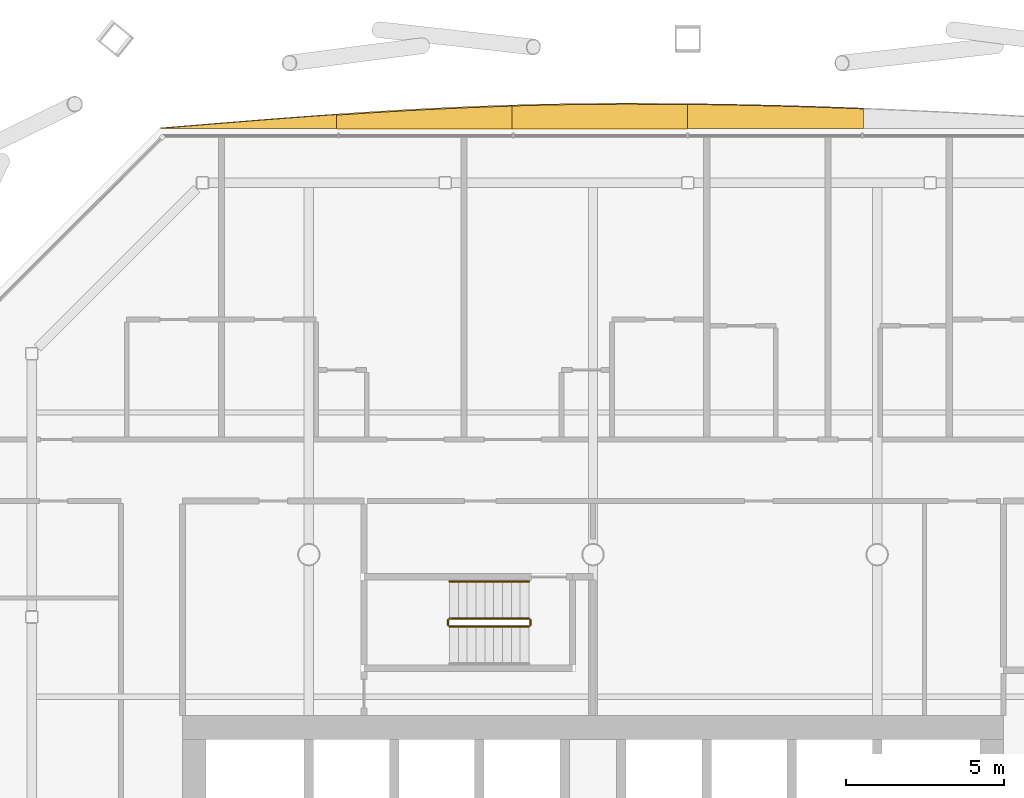
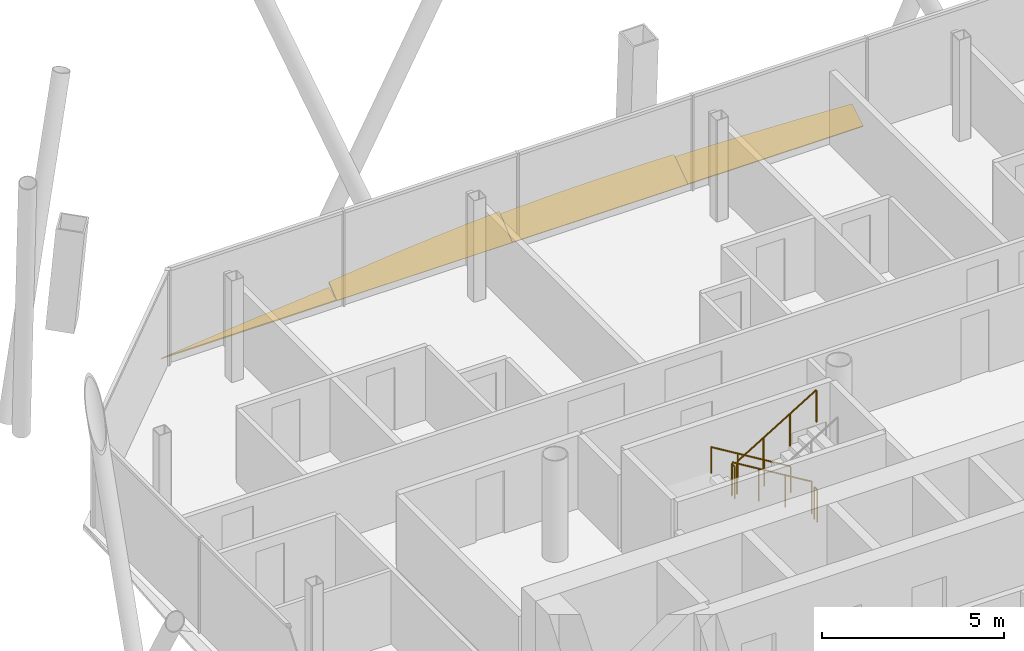
# One storey, part 22 of 23: 5 railings, 4 shading devices.
"""IFC4 building model written with IfcOpenShell, lengths in metres."""

import ifcopenshell
import ifcopenshell.guid

model = None  # the IFC model being written
_history = None  # IfcOwnerHistory: only IFC2X3 demands one
_inside = {}  # id of a spatial element -> (the spatial element, [elements in it])
_under = {}  # id of a project, library or spatial element -> (it, [spatial elements below it])
_declared = {}  # id of a project -> (the project, [libraries it declares])
_typed = {}  # id of a type object -> (the type object, [elements of that type])
_made_of = {}  # id of a material, layer set ... -> (it, [elements and type objects made of it])


def new_model(schema):
    """Start an empty IFC model of exactly this schema.

    Asked for "IFC4X3", IfcOpenShell would pick the latest addendum, in which some entities
    have other attributes; the version numbers below select the first issue.
    IFC2X3 requires an IfcOwnerHistory on every rooted entity: one is made here for all.
    """
    global model, _history
    if schema == "IFC4X3":
        model = ifcopenshell.file(schema_version=(4, 3, 0, 0))
    else:
        model = ifcopenshell.file(schema=schema)
    _inside.clear()
    _under.clear()
    _declared.clear()
    _typed.clear()
    _made_of.clear()
    _history = None
    if model.schema == "IFC2X3":
        org = make("IfcOrganization", Name="unknown")
        user = make(
            "IfcPersonAndOrganization",
            ThePerson=make("IfcPerson", FamilyName="unknown"),
            TheOrganization=org,
        )
        app = make(
            "IfcApplication",
            ApplicationDeveloper=org,
            Version="unknown",
            ApplicationFullName="unknown",
            ApplicationIdentifier="unknown",
        )
        _history = make(
            "IfcOwnerHistory",
            OwningUser=user,
            OwningApplication=app,
            ChangeAction="ADDED",
            CreationDate=0,
        )
    return model


def make(cls, **values):
    """One entity of the class cls with the attributes given. An attribute that is None is left unset."""
    return model.create_entity(
        cls, **{name: value for name, value in values.items() if value is not None}
    )


def rooted(cls, **values):
    """An entity with a GlobalId (a new one), such as an element, a storey or a relation."""
    return make(cls, GlobalId=ifcopenshell.guid.new(), OwnerHistory=_history, **values)


def si_unit(unit_type, name, prefix=None):
    """IfcSIUnit, for example si_unit("LENGTHUNIT", "METRE", prefix="MILLI")."""
    return make("IfcSIUnit", UnitType=unit_type, Prefix=prefix, Name=name)


def assignment(units):
    """IfcUnitAssignment: the units of a project."""
    return None if units is None else make("IfcUnitAssignment", Units=units)


def point(xyz):
    """IfcCartesianPoint."""
    return None if xyz is None else make("IfcCartesianPoint", Coordinates=xyz)


def direction(xyz):
    """IfcDirection."""
    return None if xyz is None else make("IfcDirection", DirectionRatios=xyz)


def frame(location, z_axis=None, x_axis=None):
    """IfcAxis2Placement3D, a coordinate frame: its origin and axes. An axis left out is left unset."""
    return make(
        "IfcAxis2Placement3D",
        Location=point(location),
        Axis=direction(z_axis),
        RefDirection=direction(x_axis),
    )


def frame_2d(location, x_axis=None):
    """IfcAxis2Placement2D, a coordinate frame in the plane: its origin and x axis."""
    return make(
        "IfcAxis2Placement2D", Location=point(location), RefDirection=direction(x_axis)
    )


def origin():
    """The frame at (0, 0, 0) with its axes left unset."""
    return frame((0.0, 0.0, 0.0))


def origin_2d():
    """The frame at (0, 0) in the plane with its x axis left unset."""
    return frame_2d((0.0, 0.0))


def place(relative_to, where):
    """IfcLocalPlacement: puts the frame where relative to a parent placement (None: the world)."""
    return make(
        "IfcLocalPlacement", PlacementRelTo=relative_to, RelativePlacement=where
    )


def context(
    kind, dimensions, precision=None, world=None, true_north=None, identifier=None
):
    """IfcGeometricRepresentationContext, for example the 3D "Model" context."""
    return make(
        "IfcGeometricRepresentationContext",
        ContextIdentifier=identifier,
        ContextType=kind,
        CoordinateSpaceDimension=dimensions,
        Precision=precision,
        WorldCoordinateSystem=world,
        TrueNorth=true_north,
    )


def subcontext(parent, identifier, kind, view, scale=None):
    """IfcGeometricRepresentationSubContext, for example "Body" below "Model"."""
    return make(
        "IfcGeometricRepresentationSubContext",
        ContextIdentifier=identifier,
        ContextType=kind,
        ParentContext=parent,
        TargetScale=scale,
        TargetView=view,
    )


def project(units=None, contexts=None):
    """IfcProject with its units and contexts."""
    return rooted(
        "IfcProject",
        Name="project",
        RepresentationContexts=contexts,
        UnitsInContext=assignment(units),
    )


def spatial(cls, under=None, at=None, **own):
    """A site, building, storey or space (cls), placed at a placement, below another one or the project."""
    s = rooted(cls, ObjectPlacement=at, **own)
    if under is not None:
        _under.setdefault(under.id(), (under, []))[1].append(s)
    return s


def polyline(points):
    """IfcPolyline through the points."""
    return make("IfcPolyline", Points=[point(p) for p in points])


def profile(cls, at=None, kind="AREA", **sizes):
    """A parametric profile (cls). Its sizes go by their IFC names, for example OverallWidth=200.0."""
    return make(cls, ProfileType=kind, Position=at, **sizes)


def circle(**sizes):
    """IfcCircleProfileDef."""
    return profile("IfcCircleProfileDef", **sizes)


def outline(outer, holes=None, kind="AREA"):
    """IfcArbitraryClosedProfileDef: a profile drawn as a closed curve; with holes, ...WithVoids."""
    if holes is None:
        return make("IfcArbitraryClosedProfileDef", ProfileType=kind, OuterCurve=outer)
    return make(
        "IfcArbitraryProfileDefWithVoids",
        ProfileType=kind,
        OuterCurve=outer,
        InnerCurves=holes,
    )


def extrude(swept, where, along, depth):
    """IfcExtrudedAreaSolid: the profile swept, set in the frame where, extruded along a direction by depth."""
    return make(
        "IfcExtrudedAreaSolid",
        SweptArea=swept,
        Position=where,
        ExtrudedDirection=direction(along),
        Depth=depth,
    )


def shape(context_of_items, identifier, shape_type, items):
    """IfcShapeRepresentation: the items that make up one representation, for example the "Body"."""
    return make(
        "IfcShapeRepresentation",
        ContextOfItems=context_of_items,
        RepresentationIdentifier=identifier,
        RepresentationType=shape_type,
        Items=items,
    )


def material(Name=None, Category=None):
    """IfcMaterial."""
    return make("IfcMaterial", Name=Name, Category=Category)


def layer(
    of_material, thickness, ventilated=None, Name=None, Category=None, Priority=None
):
    """IfcMaterialLayer: one layer of a wall or slab, of a material (None: an air gap)."""
    return make(
        "IfcMaterialLayer",
        Material=of_material,
        LayerThickness=thickness,
        IsVentilated=ventilated,
        Name=Name,
        Category=Category,
        Priority=Priority,
    )


def layer_set(layers, Name=None):
    """IfcMaterialLayerSet."""
    return make("IfcMaterialLayerSet", MaterialLayers=layers, LayerSetName=Name)


def made_of(thing, what):
    """Note that an element or type object is made of a material, layer set ...; save() writes the relation."""
    if what is not None:
        _made_of.setdefault(what.id(), (what, []))[1].append(thing)
    return thing


def type_object(cls, material=None, **own):
    """A type object (cls), such as IfcWallType, which elements share."""
    return made_of(rooted(cls, **own), material)


def element(
    cls,
    number,
    at=None,
    inside=None,
    cuts=None,
    type_object=None,
    material=None,
    context=None,
    identifier="Body",
    shape_type=None,
    held_by="IfcProductDefinitionShape",
    body=None,
    shapes=None,
    **own,
):
    """One element of the class cls, such as IfcWall. Its Tag is "e" and its number.

    at: its placement. inside: the storey or other place that contains it. cuts: it is an
    opening in that element (IfcRelVoidsElement). A single representation is given by context,
    identifier, shape_type and body (its items); several are given by shapes. held_by: the class
    of the entity that holds the representations. save() writes the other relations.
    """
    e = rooted(cls, Tag="e%d" % number, ObjectPlacement=at, **own)
    if body is not None:
        shapes = [shape(context, identifier, shape_type, body)]
    if shapes is not None:
        e.Representation = make(held_by, Representations=shapes)
    if inside is not None:
        _inside.setdefault(inside.id(), (inside, []))[1].append(e)
    if cuts is not None:
        rooted(
            "IfcRelVoidsElement", RelatingBuildingElement=cuts, RelatedOpeningElement=e
        )
    if type_object is not None:
        _typed.setdefault(type_object.id(), (type_object, []))[1].append(e)
    return made_of(e, material)


def aggregate(whole, parts):
    """IfcRelAggregates: a whole, such as a stair, and the parts it consists of."""
    return rooted("IfcRelAggregates", RelatingObject=whole, RelatedObjects=parts)


def save(model, path):
    """Write the relations noted so far, then the file.

    IfcRelAggregates (storeys below a building ...), IfcRelContainedInSpatialStructure (elements
    in a storey), IfcRelDefinesByType, IfcRelAssociatesMaterial and IfcRelDeclares: one each for
    every whole, place, type object, material and project.
    """
    for whole, parts in _under.values():
        aggregate(whole, parts)
    for where, things in _inside.values():
        rooted(
            "IfcRelContainedInSpatialStructure",
            RelatedElements=things,
            RelatingStructure=where,
        )
    for kind, things in _typed.values():
        rooted("IfcRelDefinesByType", RelatedObjects=things, RelatingType=kind)
    for what, things in _made_of.values():
        rooted("IfcRelAssociatesMaterial", RelatedObjects=things, RelatingMaterial=what)
    for by, libraries in _declared.values():
        rooted("IfcRelDeclares", RelatingContext=by, RelatedDefinitions=libraries)
    model.write(path)


model = new_model("IFC4")

# Units and contexts
model_context = context("Model", 3, precision=1e-05, world=origin(), true_north=direction((0.0, 1.0)))
body_context = subcontext(model_context, "Body", "Model", "MODEL_VIEW")
ifc_project = project(units=[si_unit("LENGTHUNIT", "METRE"), si_unit("AREAUNIT", "SQUARE_METRE"), si_unit("VOLUMEUNIT", "CUBIC_METRE"), si_unit("PLANEANGLEUNIT", "RADIAN"), si_unit("MASSUNIT", "GRAM", prefix="KILO")], contexts=[model_context])

# Site, building, storey
site_placement = place(None, origin())
site = spatial("IfcSite", under=ifc_project, at=site_placement, CompositionType="ELEMENT")
building_placement = place(site_placement, origin())
building = spatial("IfcBuilding", under=site, at=building_placement, Name="Tskaro Facet Tower", CompositionType="ELEMENT")
storey_placement = place(building_placement, frame((0.0, 0.0, 141.89990234375)))
storey = spatial("IfcBuildingStorey", under=building, at=storey_placement, Name="L34", CompositionType="ELEMENT", Elevation=141.89990234375)

# Shading devices
ifc_material_1 = material(Name="Bronze anodised aluminium 6063-T6", Category="aluminium")
ifc_layer = layer(ifc_material_1, 0.06005859375, Name="Bronze anodised aluminium 6063-T6")
ifc_layer_set = layer_set([ifc_layer], Name="Bronze anodised aluminium 6063-T6")
shading_device_type = type_object("IfcShadingDeviceType", Name="Bronze sun blade (FN1)", PredefinedType="USERDEFINED", material=ifc_layer_set)
shading_device_1_placement = place(storey_placement, frame((8.5654296875, 22.491943359375, 0.052001953125), z_axis=(6.143741e-06, -0.500016935168, 0.866015626018), x_axis=(-0.999999999981, -3.071975e-06, 5.320576e-06)))
element("IfcShadingDevice", 1, at=shading_device_1_placement, inside=storey, type_object=shading_device_type, Name="Fin blade north 3", ObjectType="FIN", PredefinedType="USERDEFINED", context=body_context, shape_type="SweptSolid", body=[
    extrude(outline(polyline([(0.0, 0.0), (5.565429687394965, 0.0), (5.565429687792649, -0.8860883422786096), (4.869873047652204, -0.8757018838308558), (4.174072265293921, -0.8623466082916504), (3.478515624565727, -0.8462666645551229), (2.782714843668658, -0.8271285485780088), (2.0871582031027094, -0.8051436899565076), (1.3913574216178919, -0.7803120886906197), (0.6958007810131699, -0.7529672488236095), (3.8553515695665595e-11, -0.7231091703554771), (0.0, 0.0)])), origin(), (0.0, 0.0, -1.0), 0.06005859375),
])
shading_device_2_placement = place(storey_placement, frame((3.0, 22.487548828125, 0.04931640625), z_axis=(3.023034e-06, -0.573507584863, 0.819200250303), x_axis=(-0.999999999995, -1.733733e-06, 2.47647e-06)))
element("IfcShadingDevice", 2, at=shading_device_2_placement, inside=storey, type_object=shading_device_type, Name="Fin blade north 4", ObjectType="FIN", PredefinedType="USERDEFINED", context=body_context, shape_type="SweptSolid", body=[
    extrude(outline(polyline([(0.0, 0.0), (5.56542968747457, -1.1785255777349262e-21), (5.565429687327305, -0.8821143693231613), (4.86962890649978, -0.9057552981626773), (4.174072265814363, -0.9245160280218991), (3.478271484444332, -0.9381965588397169), (2.7827148436396856, -0.9467968906161304), (2.0869140625736993, -0.95011702329003), (2.0034179688240807, -0.95011702329003), (1.3913574218311555, -0.9488969735449564), (0.6955566402827775, -0.9443567911259834), (-2.1682932106060874e-10, -0.9366364925333222), (0.0, 0.0)])), origin(), (0.0, 0.0, -1.0), 0.06005859375),
])
shading_device_3_placement = place(storey_placement, frame((-2.5654296875, 22.4833984375, 0.046142578125), z_axis=(1.526085e-06, -0.642699056354, 0.766118739465), x_axis=(-0.999999999999, -9.80813e-07, 1.169162e-06)))
element("IfcShadingDevice", 3, at=shading_device_3_placement, inside=storey, type_object=shading_device_type, Name="Fin blade north 5", ObjectType="FIN", PredefinedType="USERDEFINED", context=body_context, shape_type="SweptSolid", body=[
    extrude(outline(polyline([(0.0, 0.0), (5.56518554686852, 0.0), (5.565185546834532, -0.5694482599856472), (4.869628906144574, -0.630278467079088), (4.1738281251801155, -0.6877959547914345), (3.478271484334838, -0.7415299962747708), (2.7824707030771094, -0.7909194694054644), (2.0869140624174736, -0.836151414891393), (1.3913574219244034, -0.8766948423674963), (0.6955566406874591, -0.9123928428844689), (-4.335956354642629e-11, -0.9432454164423107), (0.0, 0.0)])), origin(), (0.0, 0.0, -1.0), 0.06005859375),
])
shading_device_4_placement = place(storey_placement, frame((-8.130615234375, 22.50146484375, 0.056396484375), z_axis=(-1.634947e-06, -0.342260554612, 0.939605083402), x_axis=(-0.999999999999, 5.59578e-07, -1.536204e-06)))
element("IfcShadingDevice", 4, at=shading_device_4_placement, inside=storey, type_object=shading_device_type, Name="Fin blade north 6", ObjectType="FIN", PredefinedType="USERDEFINED", context=body_context, shape_type="SweptSolid", body=[
    extrude(outline(polyline([(0.0, 0.0), (5.5654296874925615, 0.0), (4.869628905992066, -0.061636492435973196), (4.174072265593439, -0.12264707391588424), (3.4782714842965805, -0.18319886385116502), (2.782714843828359, -0.2426659512857534), (2.08715820305211, -0.3009025001530502), (1.3913574219563154, -0.3575119952693083), (0.6958007815177452, -0.41203564508989765), (-2.5265918716826437e-11, -0.46432761354821883), (0.0, 0.0)])), origin(), (0.0, 0.0, -1.0), 0.06005859375),
])

# Railings
ifc_material_2 = material(Name="Stainless steel", Category="steel")
railing_type_1 = type_object("IfcRailingType", Name="RL-GUARD-1100", PredefinedType="GUARDRAIL", material=ifc_material_2)
railing_1_placement = place(storey_placement, frame((-2.02490234375, 6.97509765625, 0.170166015625)))
element("IfcRailing", 5, at=railing_1_placement, inside=storey, type_object=railing_type_1, Name="L34 ST-3 stair guard 1", PredefinedType="GUARDRAIL", context=body_context, shape_type="SweptSolid", body=[
    extrude(circle(Radius=0.02392578125, at=origin_2d()), frame((0.0, 0.0, 1.076171875), z_axis=(-0.85478489116, 0.0, 0.518982456201), x_axis=(0.0, -1.0, 0.0)), (0.0, 0.0, 1.0), 2.9482421875),
    extrude(circle(Radius=0.02099609375, at=origin_2d()), origin(), (0.0, 0.0, 1.0), 1.052001953125),
    extrude(circle(Radius=0.02099609375, at=origin_2d()), frame((-0.840087890625, 0.0, 0.510009765625)), (0.0, 0.0, 1.0), 1.052001953125),
    extrude(circle(Radius=0.02099609375, at=origin_2d()), frame((-1.679931640625, 0.0, 1.02001953125)), (0.0, 0.0, 1.0), 1.052001953125),
    extrude(circle(Radius=0.02099609375, at=origin_2d()), frame((-2.52001953125, 0.0, 1.530029296875)), (0.0, 0.0, 1.0), 1.052001953125),
])
railing_2_placement = place(storey_placement, frame((-4.594970703125, 6.925048828125, 1.7001953125)))
element("IfcRailing", 6, at=railing_2_placement, inside=storey, type_object=railing_type_1, Name="L34 ST-3 stair guard 2", PredefinedType="GUARDRAIL", context=body_context, shape_type="SweptSolid", body=[
    extrude(circle(Radius=0.02392578125, at=origin_2d()), frame((0.0, 0.0, 1.076171875), z_axis=(0.0, -1.0, 0.0), x_axis=(1.0, 0.0, 0.0)), (0.0, 0.0, 1.0), 0.150146484375),
    extrude(circle(Radius=0.02099609375, at=origin_2d()), origin(), (0.0, 0.0, 1.0), 1.052001953125),
    extrude(circle(Radius=0.02099609375, at=origin_2d()), frame((0.0, -0.150146484375, 0.0)), (0.0, 0.0, 1.0), 1.052001953125),
])
railing_3_placement = place(storey_placement, frame((-4.544921875, 6.72509765625, 1.8701171875)))
element("IfcRailing", 7, at=railing_3_placement, inside=storey, type_object=railing_type_1, Name="L34 ST-3 stair guard 3", PredefinedType="GUARDRAIL", context=body_context, shape_type="SweptSolid", body=[
    extrude(circle(Radius=0.02392578125, at=origin_2d()), frame((0.0, 0.0, 1.076171875), z_axis=(0.85478489116, 0.0, 0.518982456201), x_axis=(0.0, 1.0, 0.0)), (0.0, 0.0, 1.0), 2.9482421875),
    extrude(circle(Radius=0.02099609375, at=origin_2d()), origin(), (0.0, 0.0, 1.0), 1.052001953125),
    extrude(circle(Radius=0.02099609375, at=origin_2d()), frame((0.840087890625, 0.0, 0.510009765625)), (0.0, 0.0, 1.0), 1.052001953125),
    extrude(circle(Radius=0.02099609375, at=origin_2d()), frame((1.679931640625, 0.0, 1.02001953125)), (0.0, 0.0, 1.0), 1.052001953125),
    extrude(circle(Radius=0.02099609375, at=origin_2d()), frame((2.52001953125, 0.0, 1.530029296875)), (0.0, 0.0, 1.0), 1.052001953125),
])
railing_4_placement = place(storey_placement, frame((-1.97509765625, 6.925048828125, 0.0)))
element("IfcRailing", 8, at=railing_4_placement, inside=storey, type_object=railing_type_1, Name="L34 ST-3 stair guard 4", PredefinedType="GUARDRAIL", context=body_context, shape_type="SweptSolid", body=[
    extrude(circle(Radius=0.02392578125, at=origin_2d()), frame((0.0, 0.0, 1.076171875), z_axis=(0.0, -1.0, 0.0), x_axis=(1.0, 0.0, 0.0)), (0.0, 0.0, 1.0), 0.150146484375),
    extrude(circle(Radius=0.02099609375, at=origin_2d()), origin(), (0.0, 0.0, 1.0), 1.052001953125),
    extrude(circle(Radius=0.02099609375, at=origin_2d()), frame((0.0, -0.150146484375, 0.0)), (0.0, 0.0, 1.0), 1.052001953125),
])
railing_type_2 = type_object("IfcRailingType", Name="RL-HANDRAIL-900", PredefinedType="HANDRAIL", material=ifc_material_2)
railing_5_placement = place(storey_placement, frame((-2.02490234375, 8.14990234375, 0.170166015625)))
element("IfcRailing", 9, at=railing_5_placement, inside=storey, type_object=railing_type_2, Name="L34 ST-3 stair handrail 1", PredefinedType="HANDRAIL", context=body_context, shape_type="SweptSolid", body=[
    extrude(circle(Radius=0.02392578125, at=origin_2d()), frame((0.0, 0.0, 0.8759765625), z_axis=(-0.85478489116, 0.0, 0.518982456201), x_axis=(0.0, -1.0, 0.0)), (0.0, 0.0, 1.0), 2.9482421875),
    extrude(circle(Radius=0.02099609375, at=origin_2d()), origin(), (0.0, 0.0, 1.0), 0.851806640625),
    extrude(circle(Radius=0.02099609375, at=origin_2d()), frame((-0.840087890625, 0.0, 0.510009765625)), (0.0, 0.0, 1.0), 0.851806640625),
    extrude(circle(Radius=0.02099609375, at=origin_2d()), frame((-1.679931640625, 0.0, 1.02001953125)), (0.0, 0.0, 1.0), 0.851806640625),
    extrude(circle(Radius=0.02099609375, at=origin_2d()), frame((-2.52001953125, 0.0, 1.530029296875)), (0.0, 0.0, 1.0), 0.851806640625),
])

save(model, "model.ifc")
